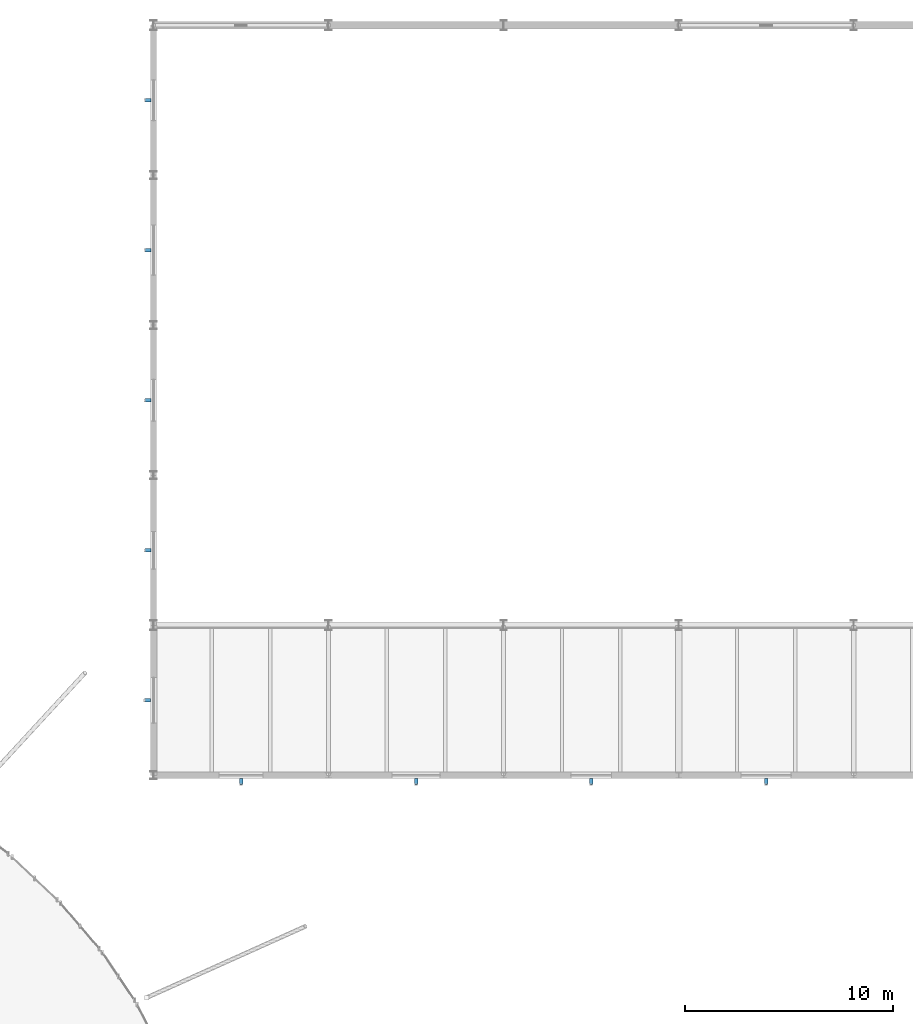
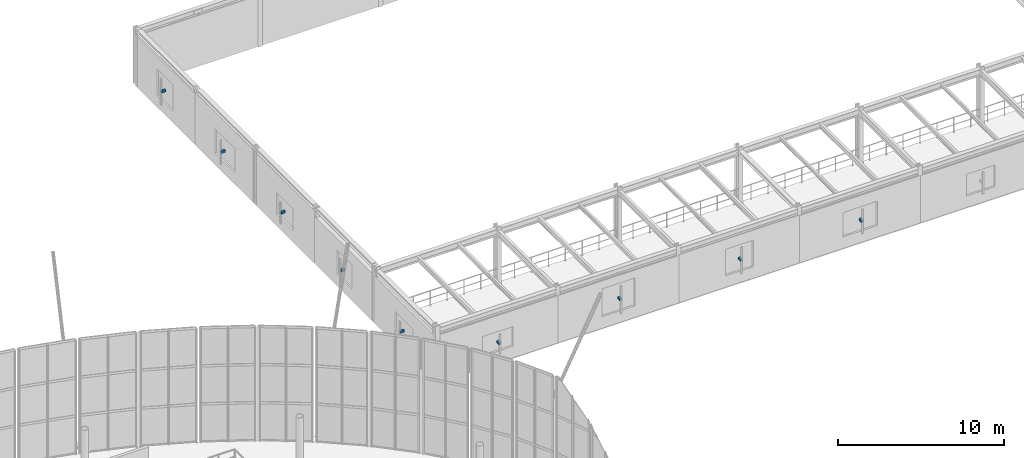
# One storey, part 74 of 109: 9 discrete accessories.
"""IFC4 building model written with IfcOpenShell, lengths in metres."""

from ifc_helpers import new_model, si_unit, derived_unit, direction, frame, origin, origin_2d, place, context, subcontext, project, spatial, rectangle, extrude, material, type_object, element, save


model = new_model("IFC4")

# Units and contexts
model_context = context("Model", 3, precision=1e-05, world=origin(), true_north=direction((0.0, 1.0)))
body_context = subcontext(model_context, "Body", "Model", "MODEL_VIEW")
ifc_project = project(units=[si_unit("LENGTHUNIT", "METRE"), si_unit("AREAUNIT", "SQUARE_METRE"), si_unit("VOLUMEUNIT", "CUBIC_METRE"), si_unit("PLANEANGLEUNIT", "RADIAN"), si_unit("MASSUNIT", "GRAM", prefix="KILO"), derived_unit("THERMALTRANSMITTANCEUNIT", [(si_unit("MASSUNIT", "GRAM", prefix="KILO"), 1), (si_unit("TIMEUNIT", "SECOND"), -3), (si_unit("THERMODYNAMICTEMPERATUREUNIT", "KELVIN"), -1)])], contexts=[model_context])

# Site, building, storey
site_placement = place(None, origin())
site = spatial("IfcSite", under=ifc_project, at=site_placement, CompositionType="ELEMENT")
building_placement = place(site_placement, origin())
building = spatial("IfcBuilding", under=site, at=building_placement, Name="Kharveza Railside Sports Centre", CompositionType="ELEMENT")
storey_placement = place(building_placement, frame((0.0, 0.0, 4.5)))
storey = spatial("IfcBuildingStorey", under=building, at=storey_placement, Name="L01", CompositionType="ELEMENT", Elevation=4.5)

# Discrete accessories
ifc_material = material(Name="Steel S275JR", Category="steel")
discrete_accessory_type = type_object("IfcDiscreteAccessoryType", Name="DA-BK01", PredefinedType="BRACKET", material=ifc_material)
for number, where, z_axis, x_axis, name in (
    (1, (92.125, 104.39990234375, 1.7451171875), (0.0, 0.0, 1.0), (-1.0, 0.0, 0.0), "BK-FIN-050"),
    (2, (92.125, 97.199951171875, 1.669921875), (0.0, 0.0, 1.0), (-1.0, 0.0, 0.0), "BK-FIN-051"),
    (3, (92.125, 90.0, 1.56982421875), (0.0, 0.0, 1.0), (-1.0, 0.0, 0.0), "BK-FIN-052"),
    (4, (92.125, 82.800048828125, 1.669921875), (0.0, 0.0, 1.0), (-1.0, 0.0, 0.0), "BK-FIN-053"),
    (5, (92.110107421875, 75.60009765625, 1.544921875), (0.0, 0.0, 1.0), (-1.0, 0.0, 0.0), "BK-FIN-054"),
    (6, (96.60009765625, 71.7099609375, 1.4951171875), (0.0, 0.0, 1.0), (0.0, -1.0, 0.0), "BK-FIN-055"),
    (7, (105.0, 71.7099609375, 1.794921875), (0.0, 0.0, 1.0), (0.0, -1.0, 0.0), "BK-FIN-056"),
    (8, (113.39990234375, 71.7099609375, 1.7451171875), (0.0, 0.0, 1.0), (0.0, -1.0, 0.0), "BK-FIN-057"),
    (9, (121.800048828125, 71.7099609375, 1.669921875), (0.0, 0.0, 1.0), (0.0, -1.0, 0.0), "BK-FIN-058"),
):
    element("IfcDiscreteAccessory", number, at=place(storey_placement, frame(where, z_axis=z_axis, x_axis=x_axis)), inside=storey, type_object=discrete_accessory_type, Name=name, PredefinedType="BRACKET", context=body_context, shape_type="SweptSolid", body=[
        extrude(rectangle(XDim=0.280029296875, YDim=0.159912109375, at=origin_2d()), origin(), (0.0, 0.0, 1.0), 0.159912109375),
    ])

save(model, "model.ifc")
